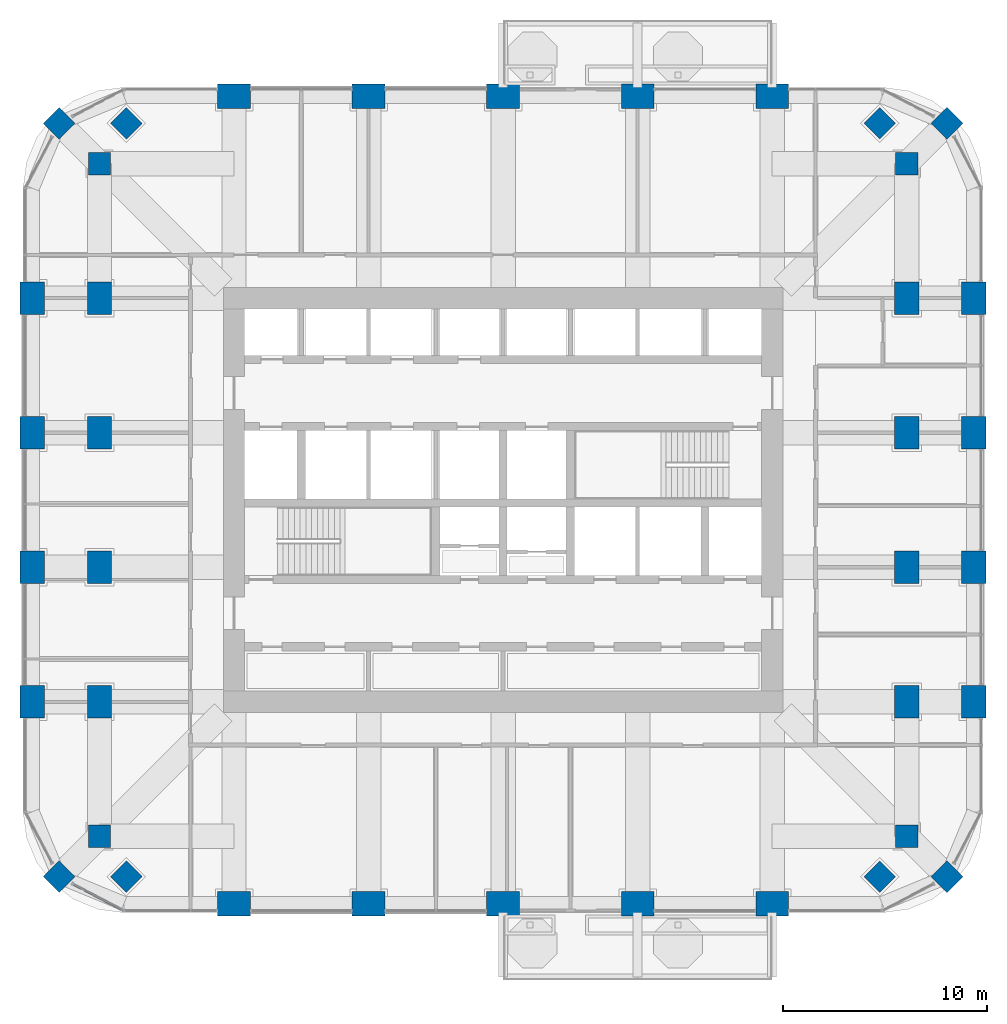
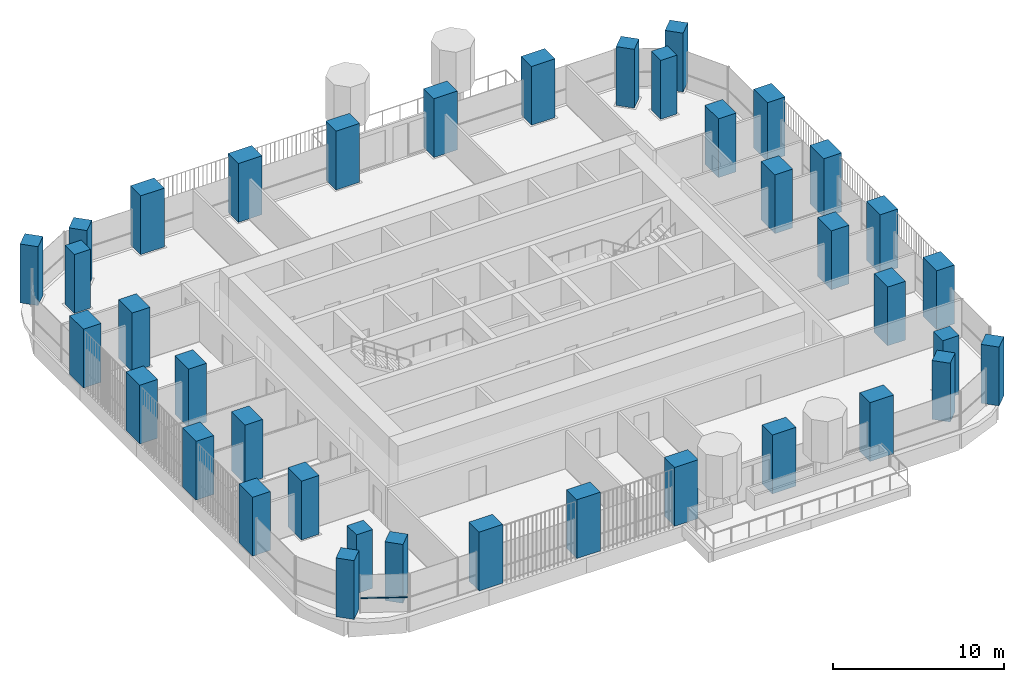
# One storey, part 1 of 19: 38 columns, 1 member, 1 element without a shape of its own.
"""IFC4 building model written with IfcOpenShell, lengths in metres."""

from ifc_helpers import new_model, si_unit, direction, frame, origin, origin_2d, place, context, subcontext, project, spatial, rectangle, extrude, material, material_profile, profile_set, type_object, element, aggregate, save


model = new_model("IFC4")

# Units and contexts
model_context = context("Model", 3, precision=1e-05, world=origin(), true_north=direction((0.0, 1.0)))
body_context = subcontext(model_context, "Body", "Model", "MODEL_VIEW")
ifc_project = project(units=[si_unit("LENGTHUNIT", "METRE"), si_unit("AREAUNIT", "SQUARE_METRE"), si_unit("VOLUMEUNIT", "CUBIC_METRE"), si_unit("PLANEANGLEUNIT", "RADIAN"), si_unit("MASSUNIT", "GRAM", prefix="KILO")], contexts=[model_context])

# Site, building, storey
site_placement = place(None, origin())
site = spatial("IfcSite", under=ifc_project, at=site_placement, CompositionType="ELEMENT")
building_placement = place(site_placement, origin())
building = spatial("IfcBuilding", under=site, at=building_placement, Name="Cobogo Forest Laboratory Tower", CompositionType="ELEMENT")
storey_placement = place(building_placement, frame((0.0, 0.0, 197.699951171875)))
storey = spatial("IfcBuildingStorey", under=building, at=storey_placement, Name="L45", CompositionType="ELEMENT", Elevation=197.699951171875)

# Columns
ifc_material_1 = material(Name="Concrete HA-50 (C50/60)", Category="concrete")
ifc_material_profile_1 = material_profile(ifc_material_1, rectangle(XDim=1.60009765625, YDim=1.199951171875, at=origin_2d()), Name="RC 1200x1600")
ifc_profile_set_1 = profile_set([ifc_material_profile_1], Name="Concrete HA-50 (C50/60)")
column_type_1 = type_object("IfcColumnType", Name="Blade column 1200x1600", PredefinedType="COLUMN", material=ifc_profile_set_1)
for number, where, z_axis, x_axis, name in (
    (1, (13.199951171875, 3.300048828125, 0.0), (0.0, 0.0, 1.0), (1.0, 0.0, 0.0), "Column 3-A.1 L45"),
    (2, (19.800048828125, 3.300048828125, 0.0), (0.0, 0.0, 1.0), (1.0, 0.0, 0.0), "Column 4-A.1 L45"),
    (3, (26.39990234375, 3.300048828125, 0.0), (0.0, 0.0, 1.0), (1.0, 0.0, 0.0), "Column 5-A.1 L45"),
    (4, (33.0, 3.300048828125, 0.0), (0.0, 0.0, 1.0), (1.0, 0.0, 0.0), "Column 6-A.1 L45"),
    (5, (39.60009765625, 3.300048828125, 0.0), (0.0, 0.0, 1.0), (1.0, 0.0, 0.0), "Column 7-A.1 L45"),
    (6, (3.300048828125, 13.199951171875, 0.0), (0.0, 0.0, 1.0), (0.0, 1.0, 0.0), "Column 1.1-C L45"),
    (7, (49.5, 13.199951171875, 0.0), (0.0, 0.0, 1.0), (0.0, 1.0, 0.0), "Column 8.1-C L45"),
    (8, (3.300048828125, 19.800048828125, 0.0), (0.0, 0.0, 1.0), (0.0, 1.0, 0.0), "Column 1.1-D L45"),
    (9, (49.5, 19.800048828125, 0.0), (0.0, 0.0, 1.0), (0.0, 1.0, 0.0), "Column 8.1-D L45"),
    (10, (3.300048828125, 26.39990234375, 0.0), (0.0, 0.0, 1.0), (0.0, 1.0, 0.0), "Column 1.1-E L45"),
    (11, (49.5, 26.39990234375, 0.0), (0.0, 0.0, 1.0), (0.0, 1.0, 0.0), "Column 8.1-E L45"),
    (12, (3.300048828125, 33.0, 0.0), (0.0, 0.0, 1.0), (0.0, 1.0, 0.0), "Column 1.1-F L45"),
    (13, (49.5, 33.0, 0.0), (0.0, 0.0, 1.0), (0.0, 1.0, 0.0), "Column 8.1-F L45"),
    (14, (13.199951171875, 42.89990234375, 0.0), (0.0, 0.0, 1.0), (1.0, 0.0, 0.0), "Column 3-G.1 L45"),
    (15, (19.800048828125, 42.89990234375, 0.0), (0.0, 0.0, 1.0), (1.0, 0.0, 0.0), "Column 4-G.1 L45"),
    (16, (26.39990234375, 42.89990234375, 0.0), (0.0, 0.0, 1.0), (1.0, 0.0, 0.0), "Column 5-G.1 L45"),
    (17, (33.0, 42.89990234375, 0.0), (0.0, 0.0, 1.0), (1.0, 0.0, 0.0), "Column 6-G.1 L45"),
    (18, (39.60009765625, 42.89990234375, 0.0), (0.0, 0.0, 1.0), (1.0, 0.0, 0.0), "Column 7-G.1 L45"),
    (19, (6.60009765625, 13.199951171875, 0.0), (0.0, 0.0, 1.0), (0.0, 1.0, 0.0), "Column 2-C-D L45"),
    (20, (46.199951171875, 13.199951171875, 0.0), (0.0, 0.0, 1.0), (0.0, 1.0, 0.0), "Column 8-C-D L45"),
    (21, (6.60009765625, 19.800048828125, 0.0), (0.0, 0.0, 1.0), (0.0, 1.0, 0.0), "Column 2-D-D L45"),
    (22, (46.199951171875, 19.800048828125, 0.0), (0.0, 0.0, 1.0), (0.0, 1.0, 0.0), "Column 8-D-D L45"),
    (23, (6.60009765625, 26.39990234375, 0.0), (0.0, 0.0, 1.0), (0.0, 1.0, 0.0), "Column 2-E-D L45"),
    (24, (46.199951171875, 26.39990234375, 0.0), (0.0, 0.0, 1.0), (0.0, 1.0, 0.0), "Column 8-E-D L45"),
    (25, (6.60009765625, 33.0, 0.0), (0.0, 0.0, 1.0), (0.0, 1.0, 0.0), "Column 2-F-D L45"),
    (26, (46.199951171875, 33.0, 0.0), (0.0, 0.0, 1.0), (0.0, 1.0, 0.0), "Column 8-F-D L45"),
):
    element("IfcColumn", number, at=place(storey_placement, frame(where, z_axis=z_axis, x_axis=x_axis)), inside=storey, type_object=column_type_1, Name=name, PredefinedType="COLUMN", context=body_context, shape_type="SweptSolid", body=[
        extrude(rectangle(XDim=1.60009765625, YDim=1.199951171875, at=origin_2d()), origin(), (0.0, 0.0, 1.0), 4.199951171875),
    ])
ifc_material_profile_2 = material_profile(ifc_material_1, rectangle(XDim=1.10009765625, YDim=1.10009765625, at=origin_2d()), Name="RC 1100x1100")
ifc_profile_set_2 = profile_set([ifc_material_profile_2], Name="Concrete HA-50 (C50/60)")
column_type_2 = type_object("IfcColumnType", Name="Column 1100x1100", PredefinedType="COLUMN", material=ifc_profile_set_2)
for number, where, z_axis, x_axis, name in (
    (27, (4.617919921875, 4.617919921875, 0.0), (0.0, 0.0, 1.0), (0.707106781187, 0.707106781187, 0.0), "Column CNR-SW L45"),
    (28, (48.181884765625, 4.617919921875, 0.0), (0.0, 0.0, 1.0), (0.707106781187, 0.707106781187, 0.0), "Column CNR-SE L45"),
    (29, (4.617919921875, 41.58203125, 0.0), (0.0, 0.0, 1.0), (0.707106781187, 0.707106781187, 0.0), "Column CNR-NW L45"),
    (30, (48.181884765625, 41.58203125, 0.0), (0.0, 0.0, 1.0), (0.707106781187, 0.707106781187, 0.0), "Column CNR-NE L45"),
    (31, (6.60009765625, 6.60009765625, 0.0), (0.0, 0.0, 1.0), (1.0, 0.0, 0.0), "Column 2-B L45"),
    (32, (46.199951171875, 6.60009765625, 0.0), (0.0, 0.0, 1.0), (1.0, 0.0, 0.0), "Column 8-B L45"),
    (33, (6.60009765625, 39.60009765625, 0.0), (0.0, 0.0, 1.0), (1.0, 0.0, 0.0), "Column 2-G L45"),
    (34, (46.199951171875, 39.60009765625, 0.0), (0.0, 0.0, 1.0), (1.0, 0.0, 0.0), "Column 8-G L45"),
    (35, (7.91796875, 4.617919921875, 0.0), (0.0, 0.0, 1.0), (0.707106781187, 0.707106781187, 0.0), "Column CNR-SW-D L45"),
    (36, (44.882080078125, 4.617919921875, 0.0), (0.0, 0.0, 1.0), (0.707106781187, 0.707106781187, 0.0), "Column CNR-SE-D L45"),
    (37, (7.91796875, 41.58203125, 0.0), (0.0, 0.0, 1.0), (0.707106781187, 0.707106781187, 0.0), "Column CNR-NW-D L45"),
    (38, (44.882080078125, 41.58203125, 0.0), (0.0, 0.0, 1.0), (0.707106781187, 0.707106781187, 0.0), "Column CNR-NE-D L45"),
):
    element("IfcColumn", number, at=place(storey_placement, frame(where, z_axis=z_axis, x_axis=x_axis)), inside=storey, type_object=column_type_2, Name=name, PredefinedType="COLUMN", context=body_context, shape_type="SweptSolid", body=[
        extrude(rectangle(XDim=1.10009765625, YDim=1.10009765625, at=origin_2d()), origin(), (0.0, 0.0, 1.0), 4.199951171875),
    ])

# Curtain wall, member
ifc_material_2 = material(Name="Aluminium curtain wall", Category="aluminium")
curtain_wall_type = type_object("IfcCurtainWallType", Name="CW-2 unitised curtain wall, solar control glazing, laboratory floors zones C and D", PredefinedType="USERDEFINED", material=ifc_material_2)
curtain_wall_placement = place(storey_placement, origin())
curtain_wall = element("IfcCurtainWall", 39, at=curtain_wall_placement, inside=storey, type_object=curtain_wall_type, Name="Curtain wall 30 L45", ObjectType="UNITISED CURTAIN WALL", PredefinedType="USERDEFINED")
ifc_material_3 = material(Name="Aluminium transom", Category="aluminium")
ifc_material_profile_3 = material_profile(ifc_material_3, rectangle(XDim=0.1201171875, YDim=0.06005859375, at=origin_2d()), Name="AL 60x120")
ifc_profile_set_3 = profile_set([ifc_material_profile_3], Name="Aluminium transom")
member_type = type_object("IfcMemberType", Name="TR-1 aluminium transom 60x120", PredefinedType="USERDEFINED", material=ifc_profile_set_3)
member_placement = place(storey_placement, frame((5.302001953125, 4.259521484375, 1.050048828125), z_axis=(0.885665294301, -0.464324225592, 0.0), x_axis=(0.464324225592, 0.885665294301, 0.0)))
member = element("IfcMember", 40, at=member_placement, type_object=member_type, Name="CW-2 transom 1.1", ObjectType="TRANSOM", PredefinedType="USERDEFINED", context=body_context, shape_type="SweptSolid", body=[
    extrude(rectangle(XDim=0.1201171875, YDim=0.06005859375, at=origin_2d()), origin(), (0.0, 0.0, 1.0), 2.760498046875),
])
aggregate(curtain_wall, [member])

save(model, "model.ifc")
